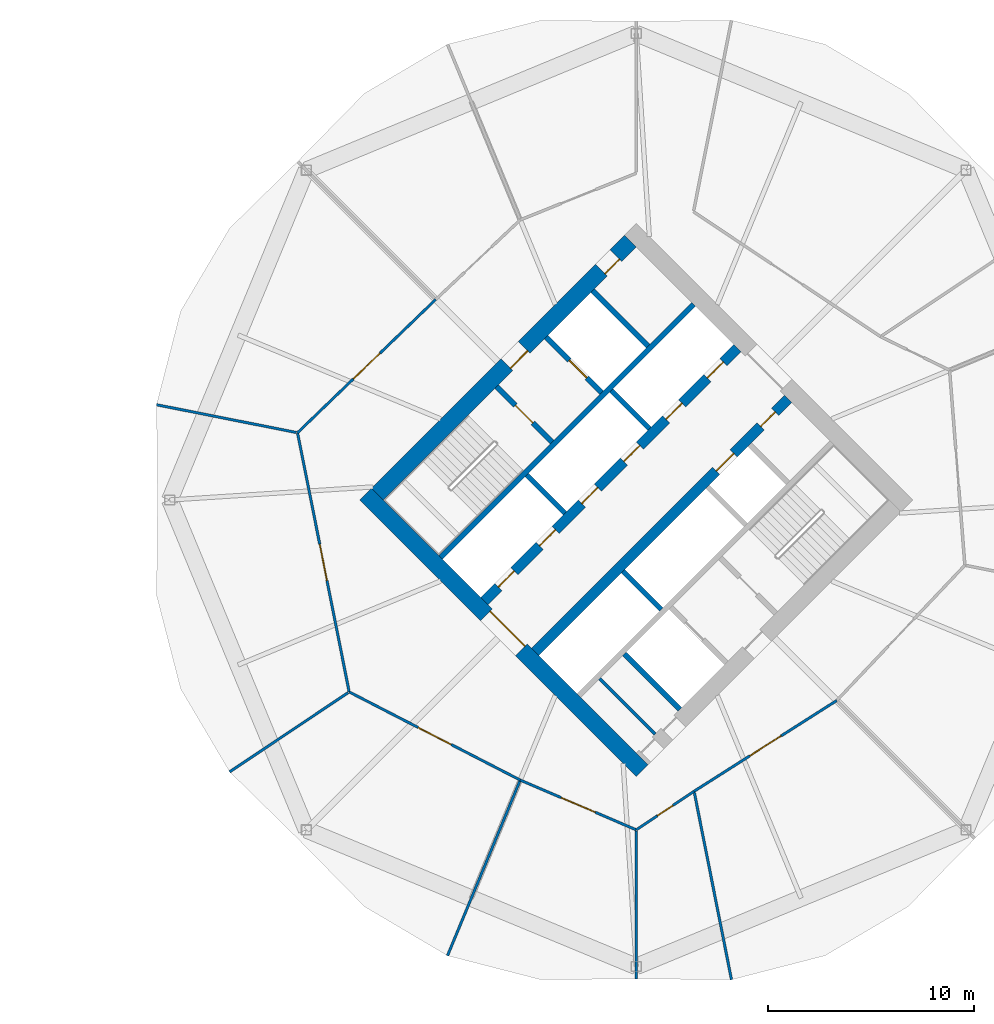
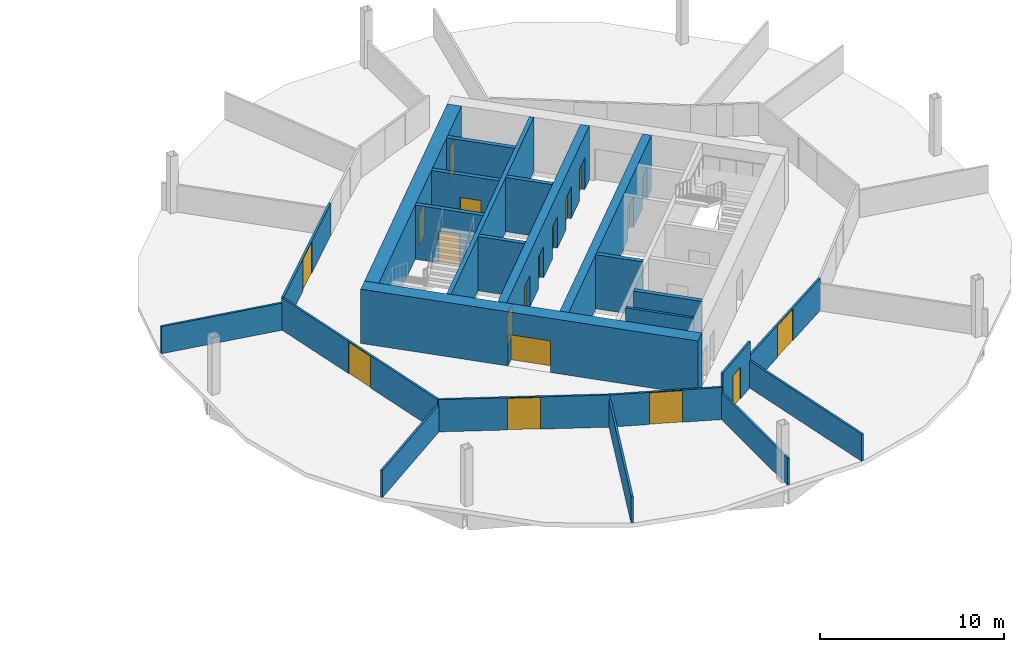
# One storey, part 6 of 9: 24 walls, 19 doors, 19 openings.
"""IFC4 building model written with IfcOpenShell, lengths in metres."""

import ifcopenshell
import ifcopenshell.guid

model = None  # the IFC model being written
_history = None  # IfcOwnerHistory: only IFC2X3 demands one
_inside = {}  # id of a spatial element -> (the spatial element, [elements in it])
_under = {}  # id of a project, library or spatial element -> (it, [spatial elements below it])
_declared = {}  # id of a project -> (the project, [libraries it declares])
_typed = {}  # id of a type object -> (the type object, [elements of that type])
_made_of = {}  # id of a material, layer set ... -> (it, [elements and type objects made of it])


def new_model(schema):
    """Start an empty IFC model of exactly this schema.

    Asked for "IFC4X3", IfcOpenShell would pick the latest addendum, in which some entities
    have other attributes; the version numbers below select the first issue.
    IFC2X3 requires an IfcOwnerHistory on every rooted entity: one is made here for all.
    """
    global model, _history
    if schema == "IFC4X3":
        model = ifcopenshell.file(schema_version=(4, 3, 0, 0))
    else:
        model = ifcopenshell.file(schema=schema)
    _inside.clear()
    _under.clear()
    _declared.clear()
    _typed.clear()
    _made_of.clear()
    _history = None
    if model.schema == "IFC2X3":
        org = make("IfcOrganization", Name="unknown")
        user = make(
            "IfcPersonAndOrganization",
            ThePerson=make("IfcPerson", FamilyName="unknown"),
            TheOrganization=org,
        )
        app = make(
            "IfcApplication",
            ApplicationDeveloper=org,
            Version="unknown",
            ApplicationFullName="unknown",
            ApplicationIdentifier="unknown",
        )
        _history = make(
            "IfcOwnerHistory",
            OwningUser=user,
            OwningApplication=app,
            ChangeAction="ADDED",
            CreationDate=0,
        )
    return model


def make(cls, **values):
    """One entity of the class cls with the attributes given. An attribute that is None is left unset."""
    return model.create_entity(
        cls, **{name: value for name, value in values.items() if value is not None}
    )


def rooted(cls, **values):
    """An entity with a GlobalId (a new one), such as an element, a storey or a relation."""
    return make(cls, GlobalId=ifcopenshell.guid.new(), OwnerHistory=_history, **values)


def si_unit(unit_type, name, prefix=None):
    """IfcSIUnit, for example si_unit("LENGTHUNIT", "METRE", prefix="MILLI")."""
    return make("IfcSIUnit", UnitType=unit_type, Prefix=prefix, Name=name)


def assignment(units):
    """IfcUnitAssignment: the units of a project."""
    return None if units is None else make("IfcUnitAssignment", Units=units)


def point(xyz):
    """IfcCartesianPoint."""
    return None if xyz is None else make("IfcCartesianPoint", Coordinates=xyz)


def direction(xyz):
    """IfcDirection."""
    return None if xyz is None else make("IfcDirection", DirectionRatios=xyz)


def frame(location, z_axis=None, x_axis=None):
    """IfcAxis2Placement3D, a coordinate frame: its origin and axes. An axis left out is left unset."""
    return make(
        "IfcAxis2Placement3D",
        Location=point(location),
        Axis=direction(z_axis),
        RefDirection=direction(x_axis),
    )


def frame_2d(location, x_axis=None):
    """IfcAxis2Placement2D, a coordinate frame in the plane: its origin and x axis."""
    return make(
        "IfcAxis2Placement2D", Location=point(location), RefDirection=direction(x_axis)
    )


def origin():
    """The frame at (0, 0, 0) with its axes left unset."""
    return frame((0.0, 0.0, 0.0))


def place(relative_to, where):
    """IfcLocalPlacement: puts the frame where relative to a parent placement (None: the world)."""
    return make(
        "IfcLocalPlacement", PlacementRelTo=relative_to, RelativePlacement=where
    )


def context(
    kind, dimensions, precision=None, world=None, true_north=None, identifier=None
):
    """IfcGeometricRepresentationContext, for example the 3D "Model" context."""
    return make(
        "IfcGeometricRepresentationContext",
        ContextIdentifier=identifier,
        ContextType=kind,
        CoordinateSpaceDimension=dimensions,
        Precision=precision,
        WorldCoordinateSystem=world,
        TrueNorth=true_north,
    )


def subcontext(parent, identifier, kind, view, scale=None):
    """IfcGeometricRepresentationSubContext, for example "Body" below "Model"."""
    return make(
        "IfcGeometricRepresentationSubContext",
        ContextIdentifier=identifier,
        ContextType=kind,
        ParentContext=parent,
        TargetScale=scale,
        TargetView=view,
    )


def project(units=None, contexts=None):
    """IfcProject with its units and contexts."""
    return rooted(
        "IfcProject",
        Name="project",
        RepresentationContexts=contexts,
        UnitsInContext=assignment(units),
    )


def spatial(cls, under=None, at=None, **own):
    """A site, building, storey or space (cls), placed at a placement, below another one or the project."""
    s = rooted(cls, ObjectPlacement=at, **own)
    if under is not None:
        _under.setdefault(under.id(), (under, []))[1].append(s)
    return s


def profile(cls, at=None, kind="AREA", **sizes):
    """A parametric profile (cls). Its sizes go by their IFC names, for example OverallWidth=200.0."""
    return make(cls, ProfileType=kind, Position=at, **sizes)


def rectangle(**sizes):
    """IfcRectangleProfileDef."""
    return profile("IfcRectangleProfileDef", **sizes)


def extrude(swept, where, along, depth):
    """IfcExtrudedAreaSolid: the profile swept, set in the frame where, extruded along a direction by depth."""
    return make(
        "IfcExtrudedAreaSolid",
        SweptArea=swept,
        Position=where,
        ExtrudedDirection=direction(along),
        Depth=depth,
    )


def shape(context_of_items, identifier, shape_type, items):
    """IfcShapeRepresentation: the items that make up one representation, for example the "Body"."""
    return make(
        "IfcShapeRepresentation",
        ContextOfItems=context_of_items,
        RepresentationIdentifier=identifier,
        RepresentationType=shape_type,
        Items=items,
    )


def material(Name=None, Category=None):
    """IfcMaterial."""
    return make("IfcMaterial", Name=Name, Category=Category)


def layer(
    of_material, thickness, ventilated=None, Name=None, Category=None, Priority=None
):
    """IfcMaterialLayer: one layer of a wall or slab, of a material (None: an air gap)."""
    return make(
        "IfcMaterialLayer",
        Material=of_material,
        LayerThickness=thickness,
        IsVentilated=ventilated,
        Name=Name,
        Category=Category,
        Priority=Priority,
    )


def layer_set(layers, Name=None):
    """IfcMaterialLayerSet."""
    return make("IfcMaterialLayerSet", MaterialLayers=layers, LayerSetName=Name)


def made_of(thing, what):
    """Note that an element or type object is made of a material, layer set ...; save() writes the relation."""
    if what is not None:
        _made_of.setdefault(what.id(), (what, []))[1].append(thing)
    return thing


def type_object(cls, material=None, **own):
    """A type object (cls), such as IfcWallType, which elements share."""
    return made_of(rooted(cls, **own), material)


def element(
    cls,
    number,
    at=None,
    inside=None,
    cuts=None,
    type_object=None,
    material=None,
    context=None,
    identifier="Body",
    shape_type=None,
    held_by="IfcProductDefinitionShape",
    body=None,
    shapes=None,
    **own,
):
    """One element of the class cls, such as IfcWall. Its Tag is "e" and its number.

    at: its placement. inside: the storey or other place that contains it. cuts: it is an
    opening in that element (IfcRelVoidsElement). A single representation is given by context,
    identifier, shape_type and body (its items); several are given by shapes. held_by: the class
    of the entity that holds the representations. save() writes the other relations.
    """
    e = rooted(cls, Tag="e%d" % number, ObjectPlacement=at, **own)
    if body is not None:
        shapes = [shape(context, identifier, shape_type, body)]
    if shapes is not None:
        e.Representation = make(held_by, Representations=shapes)
    if inside is not None:
        _inside.setdefault(inside.id(), (inside, []))[1].append(e)
    if cuts is not None:
        rooted(
            "IfcRelVoidsElement", RelatingBuildingElement=cuts, RelatedOpeningElement=e
        )
    if type_object is not None:
        _typed.setdefault(type_object.id(), (type_object, []))[1].append(e)
    return made_of(e, material)


def fill(opening, filler):
    """IfcRelFillsElement: the door or window that sits in an opening."""
    return rooted(
        "IfcRelFillsElement",
        RelatingOpeningElement=opening,
        RelatedBuildingElement=filler,
    )


def aggregate(whole, parts):
    """IfcRelAggregates: a whole, such as a stair, and the parts it consists of."""
    return rooted("IfcRelAggregates", RelatingObject=whole, RelatedObjects=parts)


def save(model, path):
    """Write the relations noted so far, then the file.

    IfcRelAggregates (storeys below a building ...), IfcRelContainedInSpatialStructure (elements
    in a storey), IfcRelDefinesByType, IfcRelAssociatesMaterial and IfcRelDeclares: one each for
    every whole, place, type object, material and project.
    """
    for whole, parts in _under.values():
        aggregate(whole, parts)
    for where, things in _inside.values():
        rooted(
            "IfcRelContainedInSpatialStructure",
            RelatedElements=things,
            RelatingStructure=where,
        )
    for kind, things in _typed.values():
        rooted("IfcRelDefinesByType", RelatedObjects=things, RelatingType=kind)
    for what, things in _made_of.values():
        rooted("IfcRelAssociatesMaterial", RelatedObjects=things, RelatingMaterial=what)
    for by, libraries in _declared.values():
        rooted("IfcRelDeclares", RelatingContext=by, RelatedDefinitions=libraries)
    model.write(path)


model = new_model("IFC4")

# Units and contexts
model_context = context("Model", 3, precision=1e-05, world=origin(), true_north=direction((0.0, 1.0)))
body_context = subcontext(model_context, "Body", "Model", "MODEL_VIEW")
ifc_project = project(units=[si_unit("LENGTHUNIT", "METRE"), si_unit("AREAUNIT", "SQUARE_METRE"), si_unit("VOLUMEUNIT", "CUBIC_METRE"), si_unit("PLANEANGLEUNIT", "RADIAN"), si_unit("MASSUNIT", "GRAM", prefix="KILO")], contexts=[model_context])

# Site, building, storey
site_placement = place(None, origin())
site = spatial("IfcSite", under=ifc_project, at=site_placement, CompositionType="ELEMENT")
building_placement = place(site_placement, origin())
building = spatial("IfcBuilding", under=site, at=building_placement, Name="Ogive Gate Towers", CompositionType="ELEMENT")
storey_placement = place(building_placement, frame((0.0, 0.0, 91.800048828125)))
storey = spatial("IfcBuildingStorey", under=building, at=storey_placement, Name="L21", CompositionType="ELEMENT", Elevation=91.800048828125)

# Wall, openings, doors
ifc_material_1 = material(Name="Concrete C60/75", Category="concrete")
ifc_layer_1 = layer(ifc_material_1, 0.800048828125)
ifc_layer_set_1 = layer_set([ifc_layer_1], Name="Core wall 800 mm")
wall_type_1 = type_object("IfcWallType", Name="Core wall 800 mm", PredefinedType="SHEAR", material=ifc_layer_set_1)
wall_1_placement = place(storey_placement, frame((23.41357421875, 0.28271484375, 0.0), z_axis=(0.0, 0.0, 1.0), x_axis=(0.707106781187, 0.707106781187, 0.0)))
wall_1 = element("IfcWall", 1, at=wall_1_placement, inside=storey, type_object=wall_type_1, Name="T2 L21 Core wall 800 mm", PredefinedType="SHEAR", context=body_context, shape_type="SweptSolid", body=[
    extrude(rectangle(XDim=17.400146484375, YDim=0.800048828125, at=frame_2d((8.7001953125, 0.0))), origin(), (0.0, 0.0, 1.0), 3.599853515625),
])
opening_1_placement = place(wall_1_placement, frame((8.89990234375, 0.0, 0.0)))
opening_1 = element("IfcOpeningElement", 2, at=opening_1_placement, cuts=wall_1, Name="Opening KD-T2-L21-15", PredefinedType="OPENING", context=body_context, shape_type="SweptSolid", body=[
    extrude(rectangle(XDim=1.199951171875, YDim=2.10009765625, at=frame_2d((0.60009765625, 1.050048828125))), frame((0.0, 0.41015625, 0.0), z_axis=(0.0, -1.0, 0.0), x_axis=(1.0, 0.0, 0.0)), (0.0, 0.0, 1.0), 0.820068359375),
])
opening_2_placement = place(wall_1_placement, frame((15.39990234375, 0.0, 0.0)))
opening_2 = element("IfcOpeningElement", 3, at=opening_2_placement, cuts=wall_1, Name="Opening KD-T2-L21-17", PredefinedType="OPENING", context=body_context, shape_type="SweptSolid", body=[
    extrude(rectangle(XDim=1.0, YDim=2.10009765625, at=frame_2d((0.5, 1.050048828125))), frame((0.0, 0.41015625, 0.0), z_axis=(0.0, -1.0, 0.0), x_axis=(1.0, 0.0, 0.0)), (0.0, 0.0, 1.0), 0.820068359375),
])
ifc_material_2 = material(Name="Timber door", Category="wood")
door_type_1 = type_object("IfcDoorType", Name="Accessible WC door 1000 x 2100", OperationType="NOTDEFINED", PredefinedType="DOOR", material=ifc_material_2)
door_1_placement = place(opening_2_placement, origin())
door_1 = element("IfcDoor", 4, at=door_1_placement, inside=storey, type_object=door_type_1, Name="T2 L21 Core door", OperationType="SINGLE_SWING_RIGHT", OverallHeight=2.10009765625, OverallWidth=1.0, PredefinedType="DOOR", context=body_context, shape_type="SweptSolid", body=[
    extrude(rectangle(XDim=1.0, YDim=2.10009765625, at=frame_2d((0.5, 1.050048828125))), frame((0.0, -0.22509765625, 0.0), z_axis=(0.0, -1.0, 0.0), x_axis=(1.0, 0.0, 0.0)), (0.0, 0.0, 1.0), 0.050048828125),
])
fill(opening_2, door_1)
ifc_material_3 = material(Name="Steel fire door", Category="steel")
door_type_2 = type_object("IfcDoorType", Name="Core door FD60S 1200 x 2100", OperationType="NOTDEFINED", PredefinedType="DOOR", material=ifc_material_3)
door_2_placement = place(opening_1_placement, origin())
door_2 = element("IfcDoor", 5, at=door_2_placement, inside=storey, type_object=door_type_2, Name="T2 L21 Fire-fighting lobby door", OperationType="SINGLE_SWING_RIGHT", OverallHeight=2.10009765625, OverallWidth=1.199951171875, PredefinedType="DOOR", context=body_context, shape_type="SweptSolid", body=[
    extrude(rectangle(XDim=1.199951171875, YDim=2.10009765625, at=frame_2d((0.60009765625, 1.050048828125))), frame((0.0, -0.22509765625, 0.0), z_axis=(0.0, -1.0, 0.0), x_axis=(1.0, 0.0, 0.0)), (0.0, 0.0, 1.0), 0.050048828125),
])
fill(opening_1, door_2)

# Wall, opening, door
wall_2_placement = place(storey_placement, frame((36.28271484375, -13.152099609375, 0.0), z_axis=(0.0, 0.0, 1.0), x_axis=(-0.707106781187, 0.707106781187, 0.0)))
wall_2 = element("IfcWall", 6, at=wall_2_placement, inside=storey, type_object=wall_type_1, Name="T2 L21 Core wall 800 mm", PredefinedType="SHEAR", context=body_context, shape_type="SweptSolid", body=[
    extrude(rectangle(XDim=18.999755859375, YDim=0.800048828125, at=frame_2d((9.5, 0.0))), origin(), (0.0, 0.0, 1.0), 3.599853515625),
])
opening_3_placement = place(wall_2_placement, frame((8.300048828125, 0.0, 0.0)))
opening_3 = element("IfcOpeningElement", 7, at=opening_3_placement, cuts=wall_2, Name="Opening KD-T2-L21-01", PredefinedType="OPENING", context=body_context, shape_type="SweptSolid", body=[
    extrude(rectangle(XDim=2.39990234375, YDim=2.10009765625, at=frame_2d((1.199951171875, 1.050048828125))), frame((0.0, 0.41015625, 0.0), z_axis=(0.0, -1.0, 0.0), x_axis=(1.0, 0.0, 0.0)), (0.0, 0.0, 1.0), 0.820068359375),
])
door_type_3 = type_object("IfcDoorType", Name="Core double door FD60S 2400 x 2100", OperationType="DOUBLE_DOOR_SINGLE_SWING", PredefinedType="DOOR", material=ifc_material_3)
door_3_placement = place(opening_3_placement, origin())
door_3 = element("IfcDoor", 8, at=door_3_placement, inside=storey, type_object=door_type_3, Name="T2 L21 Core door double", OperationType="DOUBLE_DOOR_SINGLE_SWING", OverallHeight=2.10009765625, OverallWidth=2.39990234375, PredefinedType="DOOR", context=body_context, shape_type="SweptSolid", body=[
    extrude(rectangle(XDim=2.39990234375, YDim=2.10009765625, at=frame_2d((1.199951171875, 1.050048828125))), frame((0.0, -0.22509765625, 0.0), z_axis=(0.0, -1.0, 0.0), x_axis=(1.0, 0.0, 0.0)), (0.0, 0.0, 1.0), 0.050048828125),
])
fill(opening_3, door_3)

# Walls
ifc_material_4 = material(Name="Gypsum board partition")
ifc_layer_2 = layer(ifc_material_4, 0.125)
ifc_layer_set_2 = layer_set([ifc_layer_2], Name="Partition 125")
wall_type_2 = type_object("IfcWallType", Name="Partition 125", PredefinedType="PARTITIONING", material=ifc_layer_set_2)
for number, where, z_axis, x_axis, name in (
    (9, (12.685791015625, 4.6298828125, 0.0), (0.0, 0.0, 1.0), (0.980846885712, -0.194780355243, 0.0), "Partition T2-L21-007"),
    (10, (16.240478515625, -13.2119140625, 0.0), (0.0, 0.0, 1.0), (0.831301056765, 0.555822411406, 0.0), "Partition T2-L21-008"),
):
    element("IfcWall", number, at=place(storey_placement, frame(where, z_axis=z_axis, x_axis=x_axis)), inside=storey, type_object=wall_type_2, Name=name, PredefinedType="PARTITIONING", context=body_context, shape_type="SweptSolid", body=[
        extrude(rectangle(XDim=6.925048828125, YDim=0.125, at=frame_2d((3.46240234375, 0.0))), origin(), (0.0, 0.0, 1.0), 1.800048828125),
    ])
wall_3_placement = place(storey_placement, frame((26.8271484375, -22.1455078125, 0.0), z_axis=(0.0, 0.0, 1.0), x_axis=(0.382685496895, 0.923878677352, 0.0)))
element("IfcWall", 11, at=wall_3_placement, inside=storey, type_object=wall_type_2, Name="Partition T2-L21-009", PredefinedType="PARTITIONING", context=body_context, shape_type="SweptSolid", body=[
    extrude(rectangle(XDim=9.17529296875, YDim=0.125, at=frame_2d((4.587646484375, 0.0))), origin(), (0.0, 0.0, 1.0), 1.800048828125),
])
wall_4_placement = place(storey_placement, frame((36.0, -23.26904296875, 0.0), z_axis=(0.0, 0.0, 1.0), x_axis=(0.0, 1.0, 0.0)))
element("IfcWall", 12, at=wall_4_placement, inside=storey, type_object=wall_type_2, Name="Partition T2-L21-010", PredefinedType="PARTITIONING", context=body_context, shape_type="SweptSolid", body=[
    extrude(rectangle(XDim=7.176513671875, YDim=0.125, at=frame_2d((3.58837890625, 0.0))), origin(), (0.0, 0.0, 1.0), 1.800048828125),
])
wall_5_placement = place(storey_placement, frame((40.6298828125, -23.314208984375, 0.0), z_axis=(0.0, 0.0, 1.0), x_axis=(-0.194784655939, 0.980846031654, 0.0)))
element("IfcWall", 13, at=wall_5_placement, inside=storey, type_object=wall_type_2, Name="Partition T2-L21-011", PredefinedType="PARTITIONING", context=body_context, shape_type="SweptSolid", body=[
    extrude(rectangle(XDim=9.275146484375, YDim=0.125, at=frame_2d((4.6376953125, 0.0))), origin(), (0.0, 0.0, 1.0), 1.800048828125),
])

# Wall, opening, door
wall_6_placement = place(storey_placement, frame((26.255126953125, 9.744873046875, 0.0), z_axis=(0.0, 0.0, 1.0), x_axis=(-0.719826082496, -0.694154457566, 0.0)))
wall_6 = element("IfcWall", 14, at=wall_6_placement, inside=storey, type_object=wall_type_2, Name="Partition T2-L21-016", PredefinedType="PARTITIONING", context=body_context, shape_type="SweptSolid", body=[
    extrude(rectangle(XDim=9.329345703125, YDim=0.125, at=frame_2d((4.66455078125, 0.0))), origin(), (0.0, 0.0, 1.0), 2.139892578125),
])
opening_4_placement = place(wall_6_placement, frame((3.764892578125, 0.0, 0.0)))
opening_4 = element("IfcOpeningElement", 15, at=opening_4_placement, cuts=wall_6, Name="Opening T2-L21-D03", PredefinedType="OPENING", context=body_context, shape_type="SweptSolid", body=[
    extrude(rectangle(XDim=1.800048828125, YDim=2.10009765625, at=frame_2d((0.89990234375, 1.050048828125))), frame((0.0, 0.072509765625, 0.0), z_axis=(0.0, -1.0, 0.0), x_axis=(1.0, 0.0, 0.0)), (0.0, 0.0, 1.0), 0.14501953125),
])
door_type_4 = type_object("IfcDoorType", Name="Door pair 1800", OperationType="NOTDEFINED", PredefinedType="DOOR", material=ifc_material_2)
door_4_placement = place(opening_4_placement, origin())
door_4 = element("IfcDoor", 16, at=door_4_placement, inside=storey, type_object=door_type_4, Name="Door T2-L21-D03", OperationType="DOUBLE_DOOR_DOUBLE_SWING", OverallHeight=2.10009765625, OverallWidth=1.800048828125, PredefinedType="DOOR", context=body_context, shape_type="SweptSolid", body=[
    extrude(rectangle(XDim=1.800048828125, YDim=2.10009765625, at=frame_2d((0.89990234375, 1.050048828125))), frame((0.0, 0.02490234375, 0.0), z_axis=(0.0, -1.0, 0.0), x_axis=(1.0, 0.0, 0.0)), (0.0, 0.0, 1.0), 0.050048828125),
])
fill(opening_4, door_4)

wall_7_placement = place(storey_placement, frame((19.53955078125, 3.268798828125, 0.0), z_axis=(0.0, 0.0, 1.0), x_axis=(0.195399636952, -0.980723703129, 0.0)))
wall_7 = element("IfcWall", 17, at=wall_7_placement, inside=storey, type_object=wall_type_2, Name="Partition T2-L21-017", PredefinedType="PARTITIONING", context=body_context, shape_type="SweptSolid", body=[
    extrude(rectangle(XDim=12.84423828125, YDim=0.125, at=frame_2d((6.422119140625, 0.0))), origin(), (0.0, 0.0, 1.0), 2.139892578125),
])
opening_5_placement = place(wall_7_placement, frame((5.52197265625, 0.0, 0.0)))
opening_5 = element("IfcOpeningElement", 18, at=opening_5_placement, cuts=wall_7, Name="Opening T2-L21-D04", PredefinedType="OPENING", context=body_context, shape_type="SweptSolid", body=[
    extrude(rectangle(XDim=1.800048828125, YDim=2.10009765625, at=frame_2d((0.89990234375, 1.050048828125))), frame((0.0, 0.072509765625, 0.0), z_axis=(0.0, -1.0, 0.0), x_axis=(1.0, 0.0, 0.0)), (0.0, 0.0, 1.0), 0.14501953125),
])
door_5_placement = place(opening_5_placement, origin())
door_5 = element("IfcDoor", 19, at=door_5_placement, inside=storey, type_object=door_type_4, Name="Door T2-L21-D04", OperationType="DOUBLE_DOOR_DOUBLE_SWING", OverallHeight=2.10009765625, OverallWidth=1.800048828125, PredefinedType="DOOR", context=body_context, shape_type="SweptSolid", body=[
    extrude(rectangle(XDim=1.800048828125, YDim=2.10009765625, at=frame_2d((0.89990234375, 1.050048828125))), frame((0.0, 0.02490234375, 0.0), z_axis=(0.0, -1.0, 0.0), x_axis=(1.0, 0.0, 0.0)), (0.0, 0.0, 1.0), 0.050048828125),
])
fill(opening_5, door_5)

wall_8_placement = place(storey_placement, frame((22.04931640625, -9.327880859375, 0.0), z_axis=(0.0, 0.0, 1.0), x_axis=(0.888952331998, -0.457999728641, 0.0)))
wall_8 = element("IfcWall", 20, at=wall_8_placement, inside=storey, type_object=wall_type_2, Name="Partition T2-L21-018", PredefinedType="PARTITIONING", context=body_context, shape_type="SweptSolid", body=[
    extrude(rectangle(XDim=9.3515625, YDim=0.125, at=frame_2d((4.67578125, 0.0))), origin(), (0.0, 0.0, 1.0), 2.139892578125),
])
opening_6_placement = place(wall_8_placement, frame((3.77587890625, 0.0, 0.0)))
opening_6 = element("IfcOpeningElement", 21, at=opening_6_placement, cuts=wall_8, Name="Opening T2-L21-D05", PredefinedType="OPENING", context=body_context, shape_type="SweptSolid", body=[
    extrude(rectangle(XDim=1.800048828125, YDim=2.10009765625, at=frame_2d((0.89990234375, 1.050048828125))), frame((0.0, 0.072509765625, 0.0), z_axis=(0.0, -1.0, 0.0), x_axis=(1.0, 0.0, 0.0)), (0.0, 0.0, 1.0), 0.14501953125),
])
door_6_placement = place(opening_6_placement, origin())
door_6 = element("IfcDoor", 22, at=door_6_placement, inside=storey, type_object=door_type_4, Name="Door T2-L21-D05", OperationType="DOUBLE_DOOR_DOUBLE_SWING", OverallHeight=2.10009765625, OverallWidth=1.800048828125, PredefinedType="DOOR", context=body_context, shape_type="SweptSolid", body=[
    extrude(rectangle(XDim=1.800048828125, YDim=2.10009765625, at=frame_2d((0.89990234375, 1.050048828125))), frame((0.0, 0.02490234375, 0.0), z_axis=(0.0, -1.0, 0.0), x_axis=(1.0, 0.0, 0.0)), (0.0, 0.0, 1.0), 0.050048828125),
])
fill(opening_6, door_6)

wall_9_placement = place(storey_placement, frame((30.3623046875, -13.61083984375, 0.0), z_axis=(0.0, 0.0, 1.0), x_axis=(0.918965853695, -0.394337114337, 0.0)))
wall_9 = element("IfcWall", 23, at=wall_9_placement, inside=storey, type_object=wall_type_2, Name="Partition T2-L21-019", PredefinedType="PARTITIONING", context=body_context, shape_type="SweptSolid", body=[
    extrude(rectangle(XDim=6.134765625, YDim=0.125, at=frame_2d((3.0673828125, 0.0))), origin(), (0.0, 0.0, 1.0), 2.139892578125),
])
opening_7_placement = place(wall_9_placement, frame((2.1669921875, 0.0, 0.0)))
opening_7 = element("IfcOpeningElement", 24, at=opening_7_placement, cuts=wall_9, Name="Opening T2-L21-D06", PredefinedType="OPENING", context=body_context, shape_type="SweptSolid", body=[
    extrude(rectangle(XDim=1.800048828125, YDim=2.10009765625, at=frame_2d((0.89990234375, 1.050048828125))), frame((0.0, 0.072509765625, 0.0), z_axis=(0.0, -1.0, 0.0), x_axis=(1.0, 0.0, 0.0)), (0.0, 0.0, 1.0), 0.14501953125),
])
door_7_placement = place(opening_7_placement, origin())
door_7 = element("IfcDoor", 25, at=door_7_placement, inside=storey, type_object=door_type_4, Name="Door T2-L21-D06", OperationType="DOUBLE_DOOR_DOUBLE_SWING", OverallHeight=2.10009765625, OverallWidth=1.800048828125, PredefinedType="DOOR", context=body_context, shape_type="SweptSolid", body=[
    extrude(rectangle(XDim=1.800048828125, YDim=2.10009765625, at=frame_2d((0.89990234375, 1.050048828125))), frame((0.0, 0.02490234375, 0.0), z_axis=(0.0, -1.0, 0.0), x_axis=(1.0, 0.0, 0.0)), (0.0, 0.0, 1.0), 0.050048828125),
])
fill(opening_7, door_7)

wall_10_placement = place(storey_placement, frame((36.0, -16.030029296875, 0.0), z_axis=(0.0, 0.0, 1.0), x_axis=(0.831983588231, 0.554800242352, 0.0)))
wall_10 = element("IfcWall", 26, at=wall_10_placement, inside=storey, type_object=wall_type_2, Name="Partition T2-L21-020", PredefinedType="PARTITIONING", context=body_context, shape_type="SweptSolid", body=[
    extrude(rectangle(XDim=3.378662109375, YDim=0.125, at=frame_2d((1.689453125, 0.0))), origin(), (0.0, 0.0, 1.0), 3.050048828125),
])
opening_8_placement = place(wall_10_placement, frame((1.239013671875, 0.0, 0.0)))
opening_8 = element("IfcOpeningElement", 27, at=opening_8_placement, cuts=wall_10, Name="Opening T2-L21-D07", PredefinedType="OPENING", context=body_context, shape_type="SweptSolid", body=[
    extrude(rectangle(XDim=0.89990234375, YDim=2.10009765625, at=frame_2d((0.449951171875, 1.050048828125))), frame((0.0, 0.072509765625, 0.0), z_axis=(0.0, -1.0, 0.0), x_axis=(1.0, 0.0, 0.0)), (0.0, 0.0, 1.0), 0.14501953125),
])
door_type_5 = type_object("IfcDoorType", Name="Door 900", OperationType="NOTDEFINED", PredefinedType="DOOR", material=ifc_material_2)
door_8_placement = place(opening_8_placement, origin())
door_8 = element("IfcDoor", 28, at=door_8_placement, inside=storey, type_object=door_type_5, Name="Door T2-L21-D07", OperationType="SINGLE_SWING_RIGHT", OverallHeight=2.10009765625, OverallWidth=0.89990234375, PredefinedType="DOOR", context=body_context, shape_type="SweptSolid", body=[
    extrude(rectangle(XDim=0.89990234375, YDim=2.10009765625, at=frame_2d((0.449951171875, 1.050048828125))), frame((0.0, 0.02490234375, 0.0), z_axis=(0.0, -1.0, 0.0), x_axis=(1.0, 0.0, 0.0)), (0.0, 0.0, 1.0), 0.050048828125),
])
fill(opening_8, door_8)

wall_11_placement = place(storey_placement, frame((38.81103515625, -14.155517578125, 0.0), z_axis=(0.0, 0.0, 1.0), x_axis=(0.843760561058, 0.536719773814, 0.0)))
wall_11 = element("IfcWall", 29, at=wall_11_placement, inside=storey, type_object=wall_type_2, Name="Partition T2-L21-021", PredefinedType="PARTITIONING", context=body_context, shape_type="SweptSolid", body=[
    extrude(rectangle(XDim=8.2177734375, YDim=0.125, at=frame_2d((4.10888671875, 0.0))), origin(), (0.0, 0.0, 1.0), 2.139892578125),
])
opening_9_placement = place(wall_11_placement, frame((3.208984375, 0.0, 0.0)))
opening_9 = element("IfcOpeningElement", 30, at=opening_9_placement, cuts=wall_11, Name="Opening T2-L21-D08", PredefinedType="OPENING", context=body_context, shape_type="SweptSolid", body=[
    extrude(rectangle(XDim=1.800048828125, YDim=2.10009765625, at=frame_2d((0.89990234375, 1.050048828125))), frame((0.0, 0.072509765625, 0.0), z_axis=(0.0, -1.0, 0.0), x_axis=(1.0, 0.0, 0.0)), (0.0, 0.0, 1.0), 0.14501953125),
])
door_9_placement = place(opening_9_placement, origin())
door_9 = element("IfcDoor", 31, at=door_9_placement, inside=storey, type_object=door_type_4, Name="Door T2-L21-D08", OperationType="DOUBLE_DOOR_DOUBLE_SWING", OverallHeight=2.10009765625, OverallWidth=1.800048828125, PredefinedType="DOOR", context=body_context, shape_type="SweptSolid", body=[
    extrude(rectangle(XDim=1.800048828125, YDim=2.10009765625, at=frame_2d((0.89990234375, 1.050048828125))), frame((0.0, 0.02490234375, 0.0), z_axis=(0.0, -1.0, 0.0), x_axis=(1.0, 0.0, 0.0)), (0.0, 0.0, 1.0), 0.050048828125),
])
fill(opening_9, door_9)

# Walls
ifc_layer_3 = layer(ifc_material_4, 0.14990234375)
ifc_layer_set_3 = layer_set([ifc_layer_3], Name="Room partition 150 mm")
wall_type_3 = type_object("IfcWallType", Name="Room partition 150 mm", PredefinedType="PARTITIONING", material=ifc_layer_set_3)
wall_12_placement = place(storey_placement, frame((36.919189453125, -11.384521484375, 0.0), z_axis=(0.0, 0.0, 1.0), x_axis=(-0.707074866995, 0.707138693938, 0.0)))
element("IfcWall", 32, at=wall_12_placement, inside=storey, type_object=wall_type_3, Name="T2 L21 Room partition 150 mm", PredefinedType="PARTITIONING", context=body_context, shape_type="SweptSolid", body=[
    extrude(rectangle(XDim=3.824951171875, YDim=0.14990234375, at=frame_2d((1.91259765625, 0.0))), origin(), (0.0, 0.0, 1.0), 3.599853515625),
])
ifc_layer_4 = layer(ifc_material_1, 0.25)
ifc_layer_set_4 = layer_set([ifc_layer_4], Name="Shaft wall 250 mm")
wall_type_4 = type_object("IfcWallType", Name="Shaft wall 250 mm", PredefinedType="SHEAR", material=ifc_layer_set_4)
wall_13_placement = place(storey_placement, frame((26.489501953125, -2.793212890625, 0.0), z_axis=(0.0, 0.0, 1.0), x_axis=(0.707106781187, 0.707106781187, 0.0)))
element("IfcWall", 33, at=wall_13_placement, inside=storey, type_object=wall_type_4, Name="T2 L21 Shaft wall 250 mm", PredefinedType="SHEAR", context=body_context, shape_type="SweptSolid", body=[
    extrude(rectangle(XDim=17.400146484375, YDim=0.25, at=frame_2d((8.7001953125, 0.0))), origin(), (0.0, 0.0, 1.0), 3.599853515625),
])
wall_14_placement = place(storey_placement, frame((38.121337890625, -10.182373046875, 0.0), z_axis=(0.0, 0.0, 1.0), x_axis=(-0.707138693938, 0.707074866995, 0.0)))
element("IfcWall", 34, at=wall_14_placement, inside=storey, type_object=wall_type_4, Name="T2 L21 Shaft wall 250 mm", PredefinedType="SHEAR", context=body_context, shape_type="SweptSolid", body=[
    extrude(rectangle(XDim=3.824951171875, YDim=0.25, at=frame_2d((1.91259765625, 0.0))), origin(), (0.0, 0.0, 1.0), 3.599853515625),
])
for number, where, z_axis, x_axis, name in (
    (35, (37.2197265625, -5.321044921875, 0.0), (0.0, 0.0, 1.0), (-0.707106781187, 0.707106781187, 0.0), "T2 L21 Shaft wall 250 mm"),
    (36, (32.53515625, -0.636474609375, 0.0), (0.0, 0.0, 1.0), (-0.707106781187, 0.707106781187, 0.0), "T2 L21 Shaft wall 250 mm"),
):
    element("IfcWall", number, at=place(storey_placement, frame(where, z_axis=z_axis, x_axis=x_axis)), inside=storey, type_object=wall_type_4, Name=name, PredefinedType="SHEAR", context=body_context, shape_type="SweptSolid", body=[
        extrude(rectangle(XDim=2.625, YDim=0.25, at=frame_2d((1.3125, 0.0))), origin(), (0.0, 0.0, 1.0), 3.599853515625),
    ])

# Wall, opening, door
wall_15_placement = place(storey_placement, frame((31.91650390625, 2.810791015625, 0.0), z_axis=(0.0, 0.0, 1.0), x_axis=(-0.707106781187, 0.707106781187, 0.0)))
wall_15 = element("IfcWall", 37, at=wall_15_placement, inside=storey, type_object=wall_type_4, Name="T2 L21 Shaft wall 250 mm", PredefinedType="SHEAR", context=body_context, shape_type="SweptSolid", body=[
    extrude(rectangle(XDim=3.824951171875, YDim=0.25, at=frame_2d((1.91259765625, 0.0))), origin(), (0.0, 0.0, 1.0), 3.599853515625),
])
opening_10_placement = place(wall_15_placement, frame((1.324951171875, 0.0, 0.0)))
opening_10 = element("IfcOpeningElement", 38, at=opening_10_placement, cuts=wall_15, Name="Opening KD-T2-L21-13", PredefinedType="OPENING", context=body_context, shape_type="SweptSolid", body=[
    extrude(rectangle(XDim=1.199951171875, YDim=2.10009765625, at=frame_2d((0.60009765625, 1.050048828125))), frame((0.0, 0.135009765625, 0.0), z_axis=(0.0, -1.0, 0.0), x_axis=(1.0, 0.0, 0.0)), (0.0, 0.0, 1.0), 0.27001953125),
])
door_10_placement = place(opening_10_placement, origin())
door_10 = element("IfcDoor", 39, at=door_10_placement, inside=storey, type_object=door_type_2, Name="T2 L21 Stair door", OperationType="SINGLE_SWING_RIGHT", OverallHeight=2.10009765625, OverallWidth=1.199951171875, PredefinedType="DOOR", context=body_context, shape_type="SweptSolid", body=[
    extrude(rectangle(XDim=1.199951171875, YDim=2.10009765625, at=frame_2d((0.60009765625, 1.050048828125))), frame((0.0, 0.02490234375, 0.0), z_axis=(0.0, -1.0, 0.0), x_axis=(1.0, 0.0, 0.0)), (0.0, 0.0, 1.0), 0.050048828125),
])
fill(opening_10, door_10)

wall_16_placement = place(storey_placement, frame((34.320556640625, 5.21484375, 0.0), z_axis=(0.0, 0.0, 1.0), x_axis=(-0.707074866995, 0.707138693938, 0.0)))
wall_16 = element("IfcWall", 40, at=wall_16_placement, inside=storey, type_object=wall_type_4, Name="T2 L21 Shaft wall 250 mm", PredefinedType="SHEAR", context=body_context, shape_type="SweptSolid", body=[
    extrude(rectangle(XDim=3.824951171875, YDim=0.25, at=frame_2d((1.91259765625, 0.0))), origin(), (0.0, 0.0, 1.0), 3.599853515625),
])
opening_11_placement = place(wall_16_placement, frame((1.02490234375, 0.0, 0.0)))
opening_11 = element("IfcOpeningElement", 41, at=opening_11_placement, cuts=wall_16, Name="Opening LD-T2-L21-10", PredefinedType="OPENING", context=body_context, shape_type="SweptSolid", body=[
    extrude(rectangle(XDim=1.199951171875, YDim=2.10009765625, at=frame_2d((0.60009765625, 1.050048828125))), frame((0.0, 0.135009765625, 0.0), z_axis=(0.0, -1.0, 0.0), x_axis=(1.0, 0.0, 0.0)), (0.0, 0.0, 1.0), 0.27001953125),
])
ifc_material_5 = material(Name="Stainless steel landing door", Category="steel")
door_type_6 = type_object("IfcDoorType", Name="Landing door 1200 x 2100", OperationType="SLIDING_TO_LEFT", PredefinedType="DOOR", material=ifc_material_5)
door_11_placement = place(opening_11_placement, origin())
door_11 = element("IfcDoor", 42, at=door_11_placement, inside=storey, type_object=door_type_6, Name="T2 L21 Lift landing door FF1", OperationType="SLIDING_TO_LEFT", OverallHeight=2.10009765625, OverallWidth=1.199951171875, PredefinedType="DOOR", context=body_context, shape_type="SweptSolid", body=[
    extrude(rectangle(XDim=1.199951171875, YDim=2.10009765625, at=frame_2d((0.60009765625, 1.050048828125))), frame((0.0, 0.02490234375, 0.0), z_axis=(0.0, -1.0, 0.0), x_axis=(1.0, 0.0, 0.0)), (0.0, 0.0, 1.0), 0.050048828125),
])
fill(opening_11, door_11)

# Walls
wall_17_placement = place(storey_placement, frame((36.636474609375, 3.46484375, 0.0), z_axis=(0.0, 0.0, 1.0), x_axis=(-0.707106781187, 0.707106781187, 0.0)))
element("IfcWall", 43, at=wall_17_placement, inside=storey, type_object=wall_type_4, Name="T2 L21 Shaft wall 250 mm", PredefinedType="SHEAR", context=body_context, shape_type="SweptSolid", body=[
    extrude(rectangle(XDim=2.625, YDim=0.25, at=frame_2d((1.3125, 0.0))), origin(), (0.0, 0.0, 1.0), 3.599853515625),
])
wall_18_placement = place(storey_placement, frame((36.58349609375, 7.477783203125, 0.0), z_axis=(0.0, 0.0, 1.0), x_axis=(-0.707138693938, 0.707074866995, 0.0)))
element("IfcWall", 44, at=wall_18_placement, inside=storey, type_object=wall_type_4, Name="T2 L21 Shaft wall 250 mm", PredefinedType="SHEAR", context=body_context, shape_type="SweptSolid", body=[
    extrude(rectangle(XDim=3.824951171875, YDim=0.25, at=frame_2d((1.91259765625, 0.0))), origin(), (0.0, 0.0, 1.0), 3.599853515625),
])

# Wall, openings, doors
ifc_layer_5 = layer(ifc_material_1, 0.5)
ifc_layer_set_5 = layer_set([ifc_layer_5], Name="Spine wall 500 mm")
wall_type_5 = type_object("IfcWallType", Name="Spine wall 500 mm", PredefinedType="SHEAR", material=ifc_layer_set_5)
wall_19_placement = place(storey_placement, frame((31.085693359375, -7.389404296875, 0.0), z_axis=(0.0, 0.0, 1.0), x_axis=(0.707106781187, 0.707106781187, 0.0)))
wall_19 = element("IfcWall", 45, at=wall_19_placement, inside=storey, type_object=wall_type_5, Name="T2 L21 Spine wall 500 mm", PredefinedType="SHEAR", context=body_context, shape_type="SweptSolid", body=[
    extrude(rectangle(XDim=17.400146484375, YDim=0.5, at=frame_2d((8.7001953125, 0.0))), origin(), (0.0, 0.0, 1.0), 3.599853515625),
])
opening_12_placement = place(wall_19_placement, frame((12.449951171875, 0.0, 0.0)))
opening_12 = element("IfcOpeningElement", 46, at=opening_12_placement, cuts=wall_19, Name="Opening LD-T2-L21-09", PredefinedType="OPENING", context=body_context, shape_type="SweptSolid", body=[
    extrude(rectangle(XDim=1.199951171875, YDim=2.10009765625, at=frame_2d((0.60009765625, 1.050048828125))), frame((0.0, 0.260009765625, 0.0), z_axis=(0.0, -1.0, 0.0), x_axis=(1.0, 0.0, 0.0)), (0.0, 0.0, 1.0), 0.52001953125),
])
opening_13_placement = place(wall_19_placement, frame((15.5, 0.0, 0.0)))
opening_13 = element("IfcOpeningElement", 47, at=opening_13_placement, cuts=wall_19, Name="Opening KD-T2-L21-12", PredefinedType="OPENING", context=body_context, shape_type="SweptSolid", body=[
    extrude(rectangle(XDim=1.0, YDim=2.10009765625, at=frame_2d((0.5, 1.050048828125))), frame((0.0, 0.260009765625, 0.0), z_axis=(0.0, -1.0, 0.0), x_axis=(1.0, 0.0, 0.0)), (0.0, 0.0, 1.0), 0.52001953125),
])
door_type_7 = type_object("IfcDoorType", Name="Core door FD60S 1000 x 2100", OperationType="NOTDEFINED", PredefinedType="DOOR", material=ifc_material_3)
door_12_placement = place(opening_13_placement, origin())
door_12 = element("IfcDoor", 48, at=door_12_placement, inside=storey, type_object=door_type_7, Name="T2 L21 Core door", OperationType="SINGLE_SWING_LEFT", OverallHeight=2.10009765625, OverallWidth=1.0, PredefinedType="DOOR", context=body_context, shape_type="SweptSolid", body=[
    extrude(rectangle(XDim=1.0, YDim=2.10009765625, at=frame_2d((0.5, 1.050048828125))), frame((0.0, 0.02490234375, 0.0), z_axis=(0.0, -1.0, 0.0), x_axis=(1.0, 0.0, 0.0)), (0.0, 0.0, 1.0), 0.050048828125),
])
fill(opening_13, door_12)
door_13_placement = place(opening_12_placement, origin())
door_13 = element("IfcDoor", 49, at=door_13_placement, inside=storey, type_object=door_type_6, Name="T2 L21 Lift landing door SVC", OperationType="SLIDING_TO_LEFT", OverallHeight=2.10009765625, OverallWidth=1.199951171875, PredefinedType="DOOR", context=body_context, shape_type="SweptSolid", body=[
    extrude(rectangle(XDim=1.199951171875, YDim=2.10009765625, at=frame_2d((0.60009765625, 1.050048828125))), frame((0.0, 0.02490234375, 0.0), z_axis=(0.0, -1.0, 0.0), x_axis=(1.0, 0.0, 0.0)), (0.0, 0.0, 1.0), 0.050048828125),
])
fill(opening_12, door_13)

wall_20_placement = place(storey_placement, frame((28.610595703125, -4.914306640625, 0.0), z_axis=(0.0, 0.0, 1.0), x_axis=(0.707106781187, 0.707106781187, 0.0)))
wall_20 = element("IfcWall", 50, at=wall_20_placement, inside=storey, type_object=wall_type_5, Name="T2 L21 Spine wall 500 mm", PredefinedType="SHEAR", context=body_context, shape_type="SweptSolid", body=[
    extrude(rectangle(XDim=17.400146484375, YDim=0.5, at=frame_2d((8.7001953125, 0.0))), origin(), (0.0, 0.0, 1.0), 3.599853515625),
])
opening_14_placement = place(wall_20_placement, frame((0.96240234375, 0.0, 0.0)))
opening_14 = element("IfcOpeningElement", 51, at=opening_14_placement, cuts=wall_20, Name="Opening LD-T2-L21-03", PredefinedType="OPENING", context=body_context, shape_type="SweptSolid", body=[
    extrude(rectangle(XDim=1.10009765625, YDim=2.10009765625, at=frame_2d((0.550048828125, 1.050048828125))), frame((0.0, 0.260009765625, 0.0), z_axis=(0.0, -1.0, 0.0), x_axis=(1.0, 0.0, 0.0)), (0.0, 0.0, 1.0), 0.52001953125),
])
opening_15_placement = place(wall_20_placement, frame((3.800048828125, 0.0, 0.0)))
opening_15 = element("IfcOpeningElement", 52, at=opening_15_placement, cuts=wall_20, Name="Opening LD-T2-L21-04", PredefinedType="OPENING", context=body_context, shape_type="SweptSolid", body=[
    extrude(rectangle(XDim=1.10009765625, YDim=2.10009765625, at=frame_2d((0.550048828125, 1.050048828125))), frame((0.0, 0.260009765625, 0.0), z_axis=(0.0, -1.0, 0.0), x_axis=(1.0, 0.0, 0.0)), (0.0, 0.0, 1.0), 0.52001953125),
])
opening_16_placement = place(wall_20_placement, frame((6.699951171875, 0.0, 0.0)))
opening_16 = element("IfcOpeningElement", 53, at=opening_16_placement, cuts=wall_20, Name="Opening LD-T2-L21-05", PredefinedType="OPENING", context=body_context, shape_type="SweptSolid", body=[
    extrude(rectangle(XDim=1.10009765625, YDim=2.10009765625, at=frame_2d((0.550048828125, 1.050048828125))), frame((0.0, 0.260009765625, 0.0), z_axis=(0.0, -1.0, 0.0), x_axis=(1.0, 0.0, 0.0)), (0.0, 0.0, 1.0), 0.52001953125),
])
opening_17_placement = place(wall_20_placement, frame((9.60009765625, 0.0, 0.0)))
opening_17 = element("IfcOpeningElement", 54, at=opening_17_placement, cuts=wall_20, Name="Opening LD-T2-L21-06", PredefinedType="OPENING", context=body_context, shape_type="SweptSolid", body=[
    extrude(rectangle(XDim=1.10009765625, YDim=2.10009765625, at=frame_2d((0.550048828125, 1.050048828125))), frame((0.0, 0.260009765625, 0.0), z_axis=(0.0, -1.0, 0.0), x_axis=(1.0, 0.0, 0.0)), (0.0, 0.0, 1.0), 0.52001953125),
])
opening_18_placement = place(wall_20_placement, frame((12.5, 0.0, 0.0)))
opening_18 = element("IfcOpeningElement", 55, at=opening_18_placement, cuts=wall_20, Name="Opening LD-T2-L21-07", PredefinedType="OPENING", context=body_context, shape_type="SweptSolid", body=[
    extrude(rectangle(XDim=1.10009765625, YDim=2.10009765625, at=frame_2d((0.550048828125, 1.050048828125))), frame((0.0, 0.260009765625, 0.0), z_axis=(0.0, -1.0, 0.0), x_axis=(1.0, 0.0, 0.0)), (0.0, 0.0, 1.0), 0.52001953125),
])
opening_19_placement = place(wall_20_placement, frame((15.33740234375, 0.0, 0.0)))
opening_19 = element("IfcOpeningElement", 56, at=opening_19_placement, cuts=wall_20, Name="Opening LD-T2-L21-08", PredefinedType="OPENING", context=body_context, shape_type="SweptSolid", body=[
    extrude(rectangle(XDim=1.10009765625, YDim=2.10009765625, at=frame_2d((0.550048828125, 1.050048828125))), frame((0.0, 0.260009765625, 0.0), z_axis=(0.0, -1.0, 0.0), x_axis=(1.0, 0.0, 0.0)), (0.0, 0.0, 1.0), 0.52001953125),
])
door_type_8 = type_object("IfcDoorType", Name="Landing door 1100 x 2100", OperationType="SLIDING_TO_LEFT", PredefinedType="DOOR", material=ifc_material_5)
door_14_placement = place(opening_14_placement, origin())
door_14 = element("IfcDoor", 57, at=door_14_placement, inside=storey, type_object=door_type_8, Name="T2 L21 Lift landing door A1", OperationType="SLIDING_TO_LEFT", OverallHeight=2.10009765625, OverallWidth=1.10009765625, PredefinedType="DOOR", context=body_context, shape_type="SweptSolid", body=[
    extrude(rectangle(XDim=1.10009765625, YDim=2.10009765625, at=frame_2d((0.550048828125, 1.050048828125))), frame((0.0, 0.02490234375, 0.0), z_axis=(0.0, -1.0, 0.0), x_axis=(1.0, 0.0, 0.0)), (0.0, 0.0, 1.0), 0.050048828125),
])
fill(opening_14, door_14)
door_15_placement = place(opening_15_placement, origin())
door_15 = element("IfcDoor", 58, at=door_15_placement, inside=storey, type_object=door_type_8, Name="T2 L21 Lift landing door A2", OperationType="SLIDING_TO_LEFT", OverallHeight=2.10009765625, OverallWidth=1.10009765625, PredefinedType="DOOR", context=body_context, shape_type="SweptSolid", body=[
    extrude(rectangle(XDim=1.10009765625, YDim=2.10009765625, at=frame_2d((0.550048828125, 1.050048828125))), frame((0.0, 0.02490234375, 0.0), z_axis=(0.0, -1.0, 0.0), x_axis=(1.0, 0.0, 0.0)), (0.0, 0.0, 1.0), 0.050048828125),
])
fill(opening_15, door_15)
door_16_placement = place(opening_16_placement, origin())
door_16 = element("IfcDoor", 59, at=door_16_placement, inside=storey, type_object=door_type_8, Name="T2 L21 Lift landing door A3", OperationType="SLIDING_TO_LEFT", OverallHeight=2.10009765625, OverallWidth=1.10009765625, PredefinedType="DOOR", context=body_context, shape_type="SweptSolid", body=[
    extrude(rectangle(XDim=1.10009765625, YDim=2.10009765625, at=frame_2d((0.550048828125, 1.050048828125))), frame((0.0, 0.02490234375, 0.0), z_axis=(0.0, -1.0, 0.0), x_axis=(1.0, 0.0, 0.0)), (0.0, 0.0, 1.0), 0.050048828125),
])
fill(opening_16, door_16)
door_17_placement = place(opening_17_placement, origin())
door_17 = element("IfcDoor", 60, at=door_17_placement, inside=storey, type_object=door_type_8, Name="T2 L21 Lift landing door A4", OperationType="SLIDING_TO_LEFT", OverallHeight=2.10009765625, OverallWidth=1.10009765625, PredefinedType="DOOR", context=body_context, shape_type="SweptSolid", body=[
    extrude(rectangle(XDim=1.10009765625, YDim=2.10009765625, at=frame_2d((0.550048828125, 1.050048828125))), frame((0.0, 0.02490234375, 0.0), z_axis=(0.0, -1.0, 0.0), x_axis=(1.0, 0.0, 0.0)), (0.0, 0.0, 1.0), 0.050048828125),
])
fill(opening_17, door_17)
door_18_placement = place(opening_18_placement, origin())
door_18 = element("IfcDoor", 61, at=door_18_placement, inside=storey, type_object=door_type_8, Name="T2 L21 Lift landing door A5", OperationType="SLIDING_TO_LEFT", OverallHeight=2.10009765625, OverallWidth=1.10009765625, PredefinedType="DOOR", context=body_context, shape_type="SweptSolid", body=[
    extrude(rectangle(XDim=1.10009765625, YDim=2.10009765625, at=frame_2d((0.550048828125, 1.050048828125))), frame((0.0, 0.02490234375, 0.0), z_axis=(0.0, -1.0, 0.0), x_axis=(1.0, 0.0, 0.0)), (0.0, 0.0, 1.0), 0.050048828125),
])
fill(opening_18, door_18)
door_19_placement = place(opening_19_placement, origin())
door_19 = element("IfcDoor", 62, at=door_19_placement, inside=storey, type_object=door_type_8, Name="T2 L21 Lift landing door A6", OperationType="SLIDING_TO_LEFT", OverallHeight=2.10009765625, OverallWidth=1.10009765625, PredefinedType="DOOR", context=body_context, shape_type="SweptSolid", body=[
    extrude(rectangle(XDim=1.10009765625, YDim=2.10009765625, at=frame_2d((0.550048828125, 1.050048828125))), frame((0.0, 0.02490234375, 0.0), z_axis=(0.0, -1.0, 0.0), x_axis=(1.0, 0.0, 0.0)), (0.0, 0.0, 1.0), 0.050048828125),
])
fill(opening_19, door_19)

save(model, "model.ifc")
